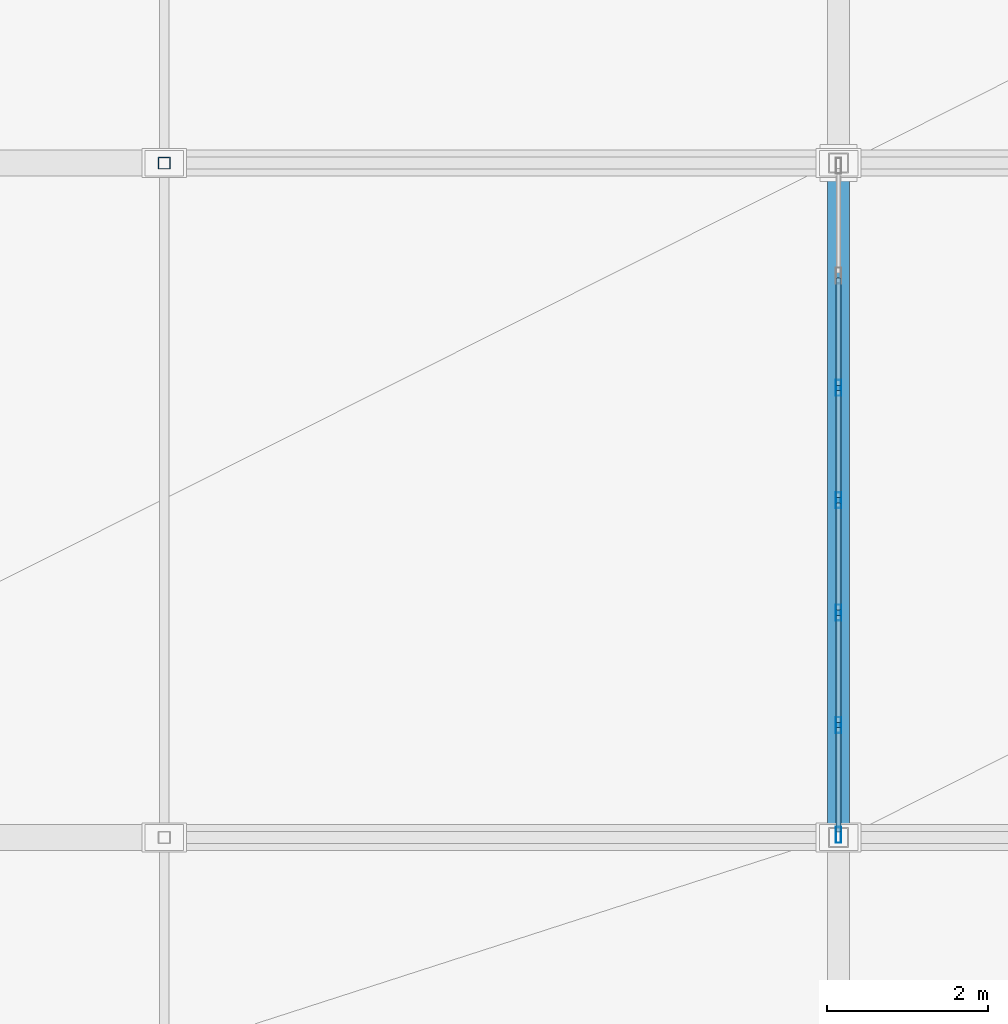
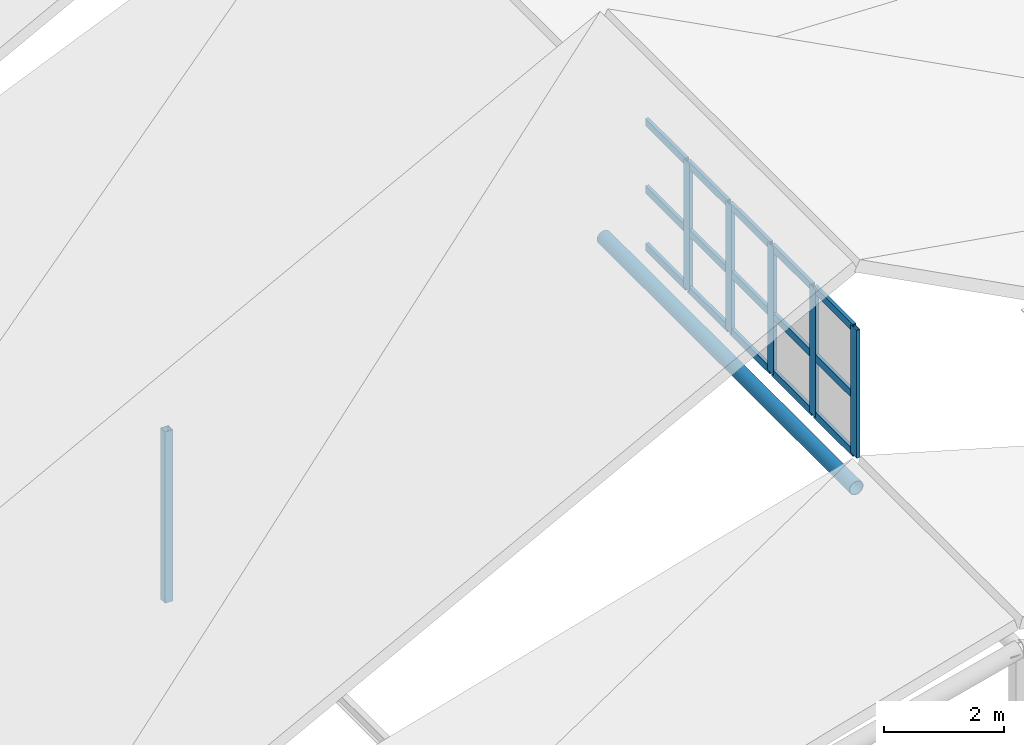
# One storey, part 13 of 76: 22 members, 1 element without a shape of its own.
"""IFC4 building model written with IfcOpenShell, lengths in metres."""

from ifc_helpers import new_model, si_unit, direction, frame, origin, origin_2d, place, context, subcontext, project, spatial, hollow_rectangle, hollow_circle, extrude, material, layer, layer_set, material_profile, profile_set, type_object, element, aggregate, save


model = new_model("IFC4")

# Units and contexts
model_context = context("Model", 3, precision=1e-05, world=origin(), true_north=direction((0.0, 1.0)))
body_context = subcontext(model_context, "Body", "Model", "MODEL_VIEW")
ifc_project = project(units=[si_unit("LENGTHUNIT", "METRE"), si_unit("AREAUNIT", "SQUARE_METRE"), si_unit("VOLUMEUNIT", "CUBIC_METRE"), si_unit("PLANEANGLEUNIT", "RADIAN"), si_unit("MASSUNIT", "GRAM", prefix="KILO")], contexts=[model_context])

# Site, building, storey
site_placement = place(None, origin())
site = spatial("IfcSite", under=ifc_project, at=site_placement, CompositionType="ELEMENT")
building_placement = place(site_placement, origin())
building = spatial("IfcBuilding", under=site, at=building_placement, Name="Krzemoval Escarpment Law Courts", CompositionType="ELEMENT")
storey_placement = place(building_placement, frame((0.0, 0.0, 20.39990234375)))
storey = spatial("IfcBuildingStorey", under=building, at=storey_placement, Name="L04", CompositionType="ELEMENT", Elevation=20.39990234375)

# Curtain wall, members
ifc_material_1 = material(Name="Aluminium 6063-T6", Category="aluminium")
ifc_layer = layer(ifc_material_1, 0.199951171875)
ifc_layer_set = layer_set([ifc_layer], Name="Aluminium 6063-T6")
curtain_wall_type = type_object("IfcCurtainWallType", Name="CW-CLER-2800", PredefinedType="USERDEFINED", material=ifc_layer_set)
curtain_wall_placement = place(storey_placement, origin())
curtain_wall = element("IfcCurtainWall", 1, at=curtain_wall_placement, inside=storey, type_object=curtain_wall_type, Name="Clerestory Curtain Wall CW-CLER-V4-01", ObjectType="UNITISED_CURTAIN_WALL", PredefinedType="USERDEFINED")
ifc_material_2 = material(Name="Aluminium 6063-T6", Category="aluminium")
ifc_material_profile_1 = material_profile(ifc_material_2, hollow_rectangle(XDim=0.06494140625, YDim=0.199951171875, WallThickness=0.00439453125, at=origin_2d()), Name="ALU M65x200")
ifc_profile_set_1 = profile_set([ifc_material_profile_1], Name="Aluminium 6063-T6")
member_type_1 = type_object("IfcMemberType", Name="CWM-65x200", PredefinedType="MULLION", material=ifc_profile_set_1)
member_1_placement = place(storey_placement, frame((25.199951171875, 40.83251953125, 4.800048828125), z_axis=(0.0, 0.0, 1.0), x_axis=(-1.0, 0.0, 0.0)))
member_1 = element("IfcMember", 2, at=member_1_placement, type_object=member_type_1, Name="CW-CLER-V4-01 mullion 1", PredefinedType="MULLION", context=body_context, shape_type="SweptSolid", body=[
    extrude(hollow_rectangle(XDim=0.06494140625, YDim=0.199951171875, WallThickness=0.00439453125, at=origin_2d()), origin(), (0.0, 0.0, 1.0), 2.60009765625),
])
member_2_placement = place(storey_placement, frame((25.199951171875, 42.199951171875, 4.800048828125), z_axis=(0.0, 0.0, 1.0), x_axis=(-1.0, 0.0, 0.0)))
member_2 = element("IfcMember", 3, at=member_2_placement, type_object=member_type_1, Name="CW-CLER-V4-01 mullion 2", PredefinedType="MULLION", context=body_context, shape_type="SweptSolid", body=[
    extrude(hollow_rectangle(XDim=0.06494140625, YDim=0.199951171875, WallThickness=0.00439453125, at=origin_2d()), origin(), (0.0, 0.0, 1.0), 2.60009765625),
])
member_3_placement = place(storey_placement, frame((25.199951171875, 43.60009765625, 4.800048828125), z_axis=(0.0, 0.0, 1.0), x_axis=(-1.0, 0.0, 0.0)))
member_3 = element("IfcMember", 4, at=member_3_placement, type_object=member_type_1, Name="CW-CLER-V4-01 mullion 3", PredefinedType="MULLION", context=body_context, shape_type="SweptSolid", body=[
    extrude(hollow_rectangle(XDim=0.06494140625, YDim=0.199951171875, WallThickness=0.00439453125, at=origin_2d()), origin(), (0.0, 0.0, 1.0), 2.60009765625),
])
member_4_placement = place(storey_placement, frame((25.199951171875, 45.0, 4.800048828125), z_axis=(0.0, 0.0, 1.0), x_axis=(-1.0, 0.0, 0.0)))
member_4 = element("IfcMember", 5, at=member_4_placement, type_object=member_type_1, Name="CW-CLER-V4-01 mullion 4", PredefinedType="MULLION", context=body_context, shape_type="SweptSolid", body=[
    extrude(hollow_rectangle(XDim=0.06494140625, YDim=0.199951171875, WallThickness=0.00439453125, at=origin_2d()), origin(), (0.0, 0.0, 1.0), 2.60009765625),
])
member_5_placement = place(storey_placement, frame((25.199951171875, 46.39990234375, 4.800048828125), z_axis=(0.0, 0.0, 1.0), x_axis=(-1.0, 0.0, 0.0)))
member_5 = element("IfcMember", 6, at=member_5_placement, type_object=member_type_1, Name="CW-CLER-V4-01 mullion 5", PredefinedType="MULLION", context=body_context, shape_type="SweptSolid", body=[
    extrude(hollow_rectangle(XDim=0.06494140625, YDim=0.199951171875, WallThickness=0.00439453125, at=origin_2d()), origin(), (0.0, 0.0, 1.0), 2.60009765625),
])
ifc_material_3 = material(Name="Aluminium 6063-T6", Category="aluminium")
ifc_material_profile_2 = material_profile(ifc_material_3, hollow_rectangle(XDim=0.06494140625, YDim=0.14990234375, WallThickness=0.00439453125, at=origin_2d()), Name="ALU T65x150")
ifc_profile_set_2 = profile_set([ifc_material_profile_2], Name="Aluminium 6063-T6")
member_type_2 = type_object("IfcMemberType", Name="CWT-65x150", PredefinedType="USERDEFINED", material=ifc_profile_set_2)
member_6_placement = place(storey_placement, frame((25.199951171875, 40.864990234375, 4.83251953125), z_axis=(0.0, 1.0, 0.0), x_axis=(-1.0, 0.0, 0.0)))
member_6 = element("IfcMember", 7, at=member_6_placement, type_object=member_type_2, Name="CW-CLER-V4-01 transom 1.1", ObjectType="TRANSOM", PredefinedType="USERDEFINED", context=body_context, shape_type="SweptSolid", body=[
    extrude(hollow_rectangle(XDim=0.06494140625, YDim=0.14990234375, WallThickness=0.00439453125, at=origin_2d()), origin(), (0.0, 0.0, 1.0), 1.302490234375),
])
member_7_placement = place(storey_placement, frame((25.199951171875, 40.864990234375, 6.0), z_axis=(0.0, 1.0, 0.0), x_axis=(-1.0, 0.0, 0.0)))
member_7 = element("IfcMember", 8, at=member_7_placement, type_object=member_type_2, Name="CW-CLER-V4-01 transom 1.2", ObjectType="TRANSOM", PredefinedType="USERDEFINED", context=body_context, shape_type="SweptSolid", body=[
    extrude(hollow_rectangle(XDim=0.06494140625, YDim=0.14990234375, WallThickness=0.00439453125, at=origin_2d()), origin(), (0.0, 0.0, 1.0), 1.302490234375),
])
member_8_placement = place(storey_placement, frame((25.199951171875, 40.864990234375, 7.36767578125), z_axis=(0.0, 1.0, 0.0), x_axis=(-1.0, 0.0, 0.0)))
member_8 = element("IfcMember", 9, at=member_8_placement, type_object=member_type_2, Name="CW-CLER-V4-01 transom 1.3", ObjectType="TRANSOM", PredefinedType="USERDEFINED", context=body_context, shape_type="SweptSolid", body=[
    extrude(hollow_rectangle(XDim=0.06494140625, YDim=0.14990234375, WallThickness=0.00439453125, at=origin_2d()), origin(), (0.0, 0.0, 1.0), 1.302490234375),
])
member_9_placement = place(storey_placement, frame((25.199951171875, 42.232421875, 4.83251953125), z_axis=(0.0, 1.0, 0.0), x_axis=(-1.0, 0.0, 0.0)))
member_9 = element("IfcMember", 10, at=member_9_placement, type_object=member_type_2, Name="CW-CLER-V4-01 transom 2.1", ObjectType="TRANSOM", PredefinedType="USERDEFINED", context=body_context, shape_type="SweptSolid", body=[
    extrude(hollow_rectangle(XDim=0.06494140625, YDim=0.14990234375, WallThickness=0.00439453125, at=origin_2d()), origin(), (0.0, 0.0, 1.0), 1.3349609375),
])
member_10_placement = place(storey_placement, frame((25.199951171875, 42.232421875, 6.0), z_axis=(0.0, 1.0, 0.0), x_axis=(-1.0, 0.0, 0.0)))
member_10 = element("IfcMember", 11, at=member_10_placement, type_object=member_type_2, Name="CW-CLER-V4-01 transom 2.2", ObjectType="TRANSOM", PredefinedType="USERDEFINED", context=body_context, shape_type="SweptSolid", body=[
    extrude(hollow_rectangle(XDim=0.06494140625, YDim=0.14990234375, WallThickness=0.00439453125, at=origin_2d()), origin(), (0.0, 0.0, 1.0), 1.3349609375),
])
member_11_placement = place(storey_placement, frame((25.199951171875, 42.232421875, 7.36767578125), z_axis=(0.0, 1.0, 0.0), x_axis=(-1.0, 0.0, 0.0)))
member_11 = element("IfcMember", 12, at=member_11_placement, type_object=member_type_2, Name="CW-CLER-V4-01 transom 2.3", ObjectType="TRANSOM", PredefinedType="USERDEFINED", context=body_context, shape_type="SweptSolid", body=[
    extrude(hollow_rectangle(XDim=0.06494140625, YDim=0.14990234375, WallThickness=0.00439453125, at=origin_2d()), origin(), (0.0, 0.0, 1.0), 1.3349609375),
])
member_12_placement = place(storey_placement, frame((25.199951171875, 43.632568359375, 4.83251953125), z_axis=(0.0, 1.0, 0.0), x_axis=(-1.0, 0.0, 0.0)))
member_12 = element("IfcMember", 13, at=member_12_placement, type_object=member_type_2, Name="CW-CLER-V4-01 transom 3.1", ObjectType="TRANSOM", PredefinedType="USERDEFINED", context=body_context, shape_type="SweptSolid", body=[
    extrude(hollow_rectangle(XDim=0.06494140625, YDim=0.14990234375, WallThickness=0.00439453125, at=origin_2d()), origin(), (0.0, 0.0, 1.0), 1.3349609375),
])
member_13_placement = place(storey_placement, frame((25.199951171875, 43.632568359375, 6.0), z_axis=(0.0, 1.0, 0.0), x_axis=(-1.0, 0.0, 0.0)))
member_13 = element("IfcMember", 14, at=member_13_placement, type_object=member_type_2, Name="CW-CLER-V4-01 transom 3.2", ObjectType="TRANSOM", PredefinedType="USERDEFINED", context=body_context, shape_type="SweptSolid", body=[
    extrude(hollow_rectangle(XDim=0.06494140625, YDim=0.14990234375, WallThickness=0.00439453125, at=origin_2d()), origin(), (0.0, 0.0, 1.0), 1.3349609375),
])
member_14_placement = place(storey_placement, frame((25.199951171875, 43.632568359375, 7.36767578125), z_axis=(0.0, 1.0, 0.0), x_axis=(-1.0, 0.0, 0.0)))
member_14 = element("IfcMember", 15, at=member_14_placement, type_object=member_type_2, Name="CW-CLER-V4-01 transom 3.3", ObjectType="TRANSOM", PredefinedType="USERDEFINED", context=body_context, shape_type="SweptSolid", body=[
    extrude(hollow_rectangle(XDim=0.06494140625, YDim=0.14990234375, WallThickness=0.00439453125, at=origin_2d()), origin(), (0.0, 0.0, 1.0), 1.3349609375),
])
member_15_placement = place(storey_placement, frame((25.199951171875, 45.032470703125, 4.83251953125), z_axis=(0.0, 1.0, 0.0), x_axis=(-1.0, 0.0, 0.0)))
member_15 = element("IfcMember", 16, at=member_15_placement, type_object=member_type_2, Name="CW-CLER-V4-01 transom 4.1", ObjectType="TRANSOM", PredefinedType="USERDEFINED", context=body_context, shape_type="SweptSolid", body=[
    extrude(hollow_rectangle(XDim=0.06494140625, YDim=0.14990234375, WallThickness=0.00439453125, at=origin_2d()), origin(), (0.0, 0.0, 1.0), 1.3349609375),
])
member_16_placement = place(storey_placement, frame((25.199951171875, 45.032470703125, 6.0), z_axis=(0.0, 1.0, 0.0), x_axis=(-1.0, 0.0, 0.0)))
member_16 = element("IfcMember", 17, at=member_16_placement, type_object=member_type_2, Name="CW-CLER-V4-01 transom 4.2", ObjectType="TRANSOM", PredefinedType="USERDEFINED", context=body_context, shape_type="SweptSolid", body=[
    extrude(hollow_rectangle(XDim=0.06494140625, YDim=0.14990234375, WallThickness=0.00439453125, at=origin_2d()), origin(), (0.0, 0.0, 1.0), 1.3349609375),
])
member_17_placement = place(storey_placement, frame((25.199951171875, 45.032470703125, 7.36767578125), z_axis=(0.0, 1.0, 0.0), x_axis=(-1.0, 0.0, 0.0)))
member_17 = element("IfcMember", 18, at=member_17_placement, type_object=member_type_2, Name="CW-CLER-V4-01 transom 4.3", ObjectType="TRANSOM", PredefinedType="USERDEFINED", context=body_context, shape_type="SweptSolid", body=[
    extrude(hollow_rectangle(XDim=0.06494140625, YDim=0.14990234375, WallThickness=0.00439453125, at=origin_2d()), origin(), (0.0, 0.0, 1.0), 1.3349609375),
])
member_18_placement = place(storey_placement, frame((25.199951171875, 46.4326171875, 4.83251953125), z_axis=(0.0, 1.0, 0.0), x_axis=(-1.0, 0.0, 0.0)))
member_18 = element("IfcMember", 19, at=member_18_placement, type_object=member_type_2, Name="CW-CLER-V4-01 transom 5.1", ObjectType="TRANSOM", PredefinedType="USERDEFINED", context=body_context, shape_type="SweptSolid", body=[
    extrude(hollow_rectangle(XDim=0.06494140625, YDim=0.14990234375, WallThickness=0.00439453125, at=origin_2d()), origin(), (0.0, 0.0, 1.0), 1.3349609375),
])
member_19_placement = place(storey_placement, frame((25.199951171875, 46.4326171875, 6.0), z_axis=(0.0, 1.0, 0.0), x_axis=(-1.0, 0.0, 0.0)))
member_19 = element("IfcMember", 20, at=member_19_placement, type_object=member_type_2, Name="CW-CLER-V4-01 transom 5.2", ObjectType="TRANSOM", PredefinedType="USERDEFINED", context=body_context, shape_type="SweptSolid", body=[
    extrude(hollow_rectangle(XDim=0.06494140625, YDim=0.14990234375, WallThickness=0.00439453125, at=origin_2d()), origin(), (0.0, 0.0, 1.0), 1.3349609375),
])
member_20_placement = place(storey_placement, frame((25.199951171875, 46.4326171875, 7.36767578125), z_axis=(0.0, 1.0, 0.0), x_axis=(-1.0, 0.0, 0.0)))
member_20 = element("IfcMember", 21, at=member_20_placement, type_object=member_type_2, Name="CW-CLER-V4-01 transom 5.3", ObjectType="TRANSOM", PredefinedType="USERDEFINED", context=body_context, shape_type="SweptSolid", body=[
    extrude(hollow_rectangle(XDim=0.06494140625, YDim=0.14990234375, WallThickness=0.00439453125, at=origin_2d()), origin(), (0.0, 0.0, 1.0), 1.3349609375),
])
aggregate(curtain_wall, [member_1, member_2, member_3, member_4, member_5, member_6, member_7, member_8, member_9, member_10, member_11, member_12, member_13, member_14, member_15, member_16, member_17, member_18, member_19, member_20])

# Members
ifc_material_4 = material(Name="Steel S355", Category="steel")
ifc_material_profile_3 = material_profile(ifc_material_4, hollow_circle(Radius=0.136474609375, WallThickness=0.012451171875, at=origin_2d()), Name="CHS 273x12.5")
ifc_profile_set_3 = profile_set([ifc_material_profile_3], Name="Steel S355")
member_type_3 = type_object("IfcMemberType", Name="MBR-CHD-CHS273", PredefinedType="CHORD", material=ifc_profile_set_3)
member_21_placement = place(storey_placement, frame((25.199951171875, 40.800048828125, 4.150146484375), z_axis=(0.0, 1.0, 0.0), x_axis=(-1.0, 0.0, 0.0)))
element("IfcMember", 22, at=member_21_placement, inside=storey, type_object=member_type_3, Name="Roof Truss Top Chord TC-0058", PredefinedType="CHORD", context=body_context, shape_type="SweptSolid", body=[
    extrude(hollow_circle(Radius=0.136474609375, WallThickness=0.012451171875, at=origin_2d()), origin(), (0.0, 0.0, 1.0), 8.39990234375),
])
ifc_material_5 = material(Name="Steel S355", Category="steel")
ifc_material_profile_4 = material_profile(ifc_material_5, hollow_rectangle(XDim=0.14990234375, YDim=0.14990234375, WallThickness=0.008056640625, at=origin_2d()), Name="SHS 150x150x8")
ifc_profile_set_4 = profile_set([ifc_material_profile_4], Name="Steel S355")
member_type_4 = type_object("IfcMemberType", Name="MBR-STR-SHS150", PredefinedType="STRUT", material=ifc_profile_set_4)
member_22_placement = place(storey_placement, frame((16.800048828125, 49.199951171875, -0.27978515625), z_axis=(0.0, 0.0, 1.0), x_axis=(1.0, 0.0, 0.0)))
element("IfcMember", 23, at=member_22_placement, inside=storey, type_object=member_type_4, Name="Roof Truss Web Strut ST-0014", PredefinedType="STRUT", context=body_context, shape_type="SweptSolid", body=[
    extrude(hollow_rectangle(XDim=0.14990234375, YDim=0.14990234375, WallThickness=0.008056640625, at=origin_2d()), origin(), (0.0, 0.0, 1.0), 3.47998046875),
])

save(model, "model.ifc")
